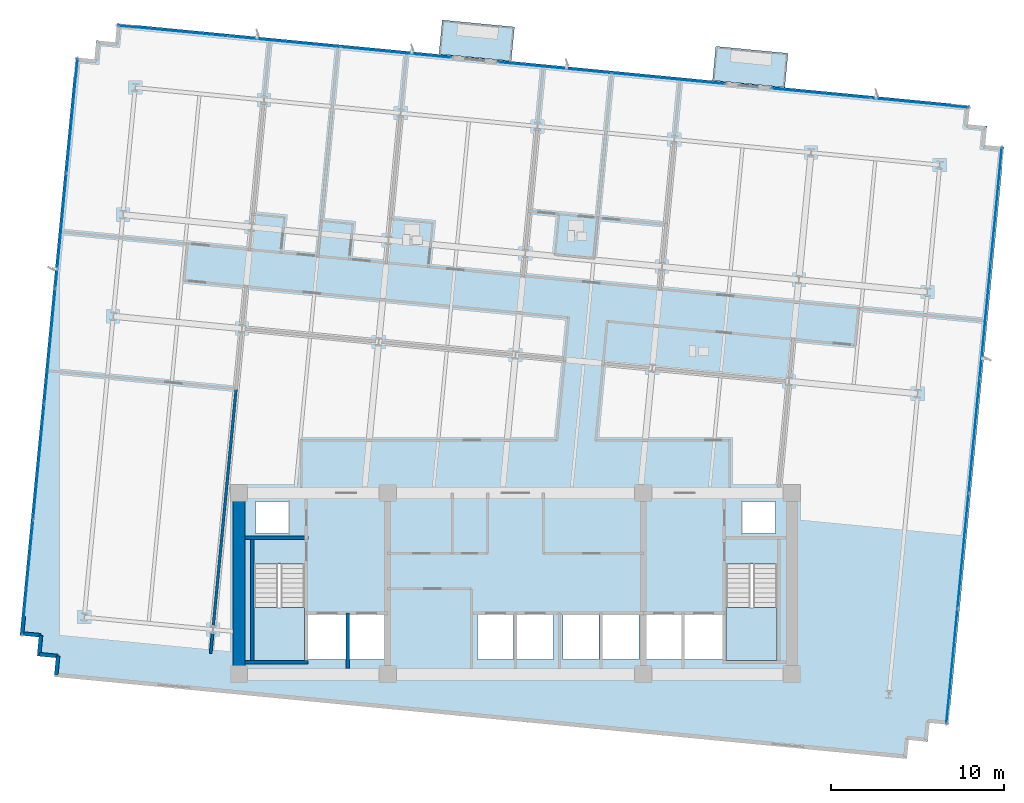
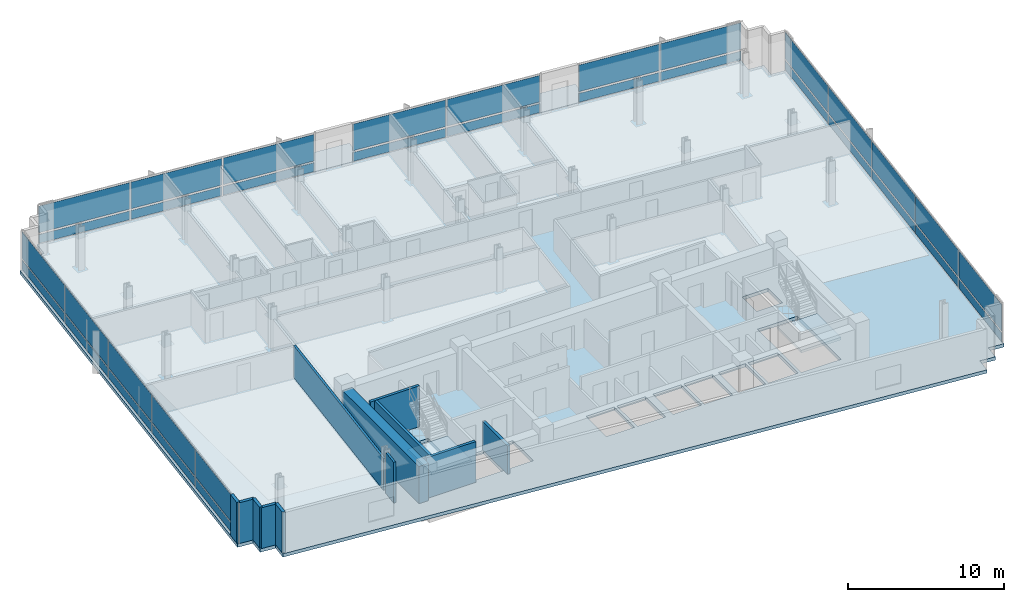
# One storey, part 9 of 17: 34 plates, 12 walls, 5 slabs, 7 elements without a shape of their own.
"""IFC4 building model written with IfcOpenShell, lengths in metres."""

import ifcopenshell
import ifcopenshell.guid

model = None  # the IFC model being written
_history = None  # IfcOwnerHistory: only IFC2X3 demands one
_inside = {}  # id of a spatial element -> (the spatial element, [elements in it])
_under = {}  # id of a project, library or spatial element -> (it, [spatial elements below it])
_declared = {}  # id of a project -> (the project, [libraries it declares])
_typed = {}  # id of a type object -> (the type object, [elements of that type])
_made_of = {}  # id of a material, layer set ... -> (it, [elements and type objects made of it])


def new_model(schema):
    """Start an empty IFC model of exactly this schema.

    Asked for "IFC4X3", IfcOpenShell would pick the latest addendum, in which some entities
    have other attributes; the version numbers below select the first issue.
    IFC2X3 requires an IfcOwnerHistory on every rooted entity: one is made here for all.
    """
    global model, _history
    if schema == "IFC4X3":
        model = ifcopenshell.file(schema_version=(4, 3, 0, 0))
    else:
        model = ifcopenshell.file(schema=schema)
    _inside.clear()
    _under.clear()
    _declared.clear()
    _typed.clear()
    _made_of.clear()
    _history = None
    if model.schema == "IFC2X3":
        org = make("IfcOrganization", Name="unknown")
        user = make(
            "IfcPersonAndOrganization",
            ThePerson=make("IfcPerson", FamilyName="unknown"),
            TheOrganization=org,
        )
        app = make(
            "IfcApplication",
            ApplicationDeveloper=org,
            Version="unknown",
            ApplicationFullName="unknown",
            ApplicationIdentifier="unknown",
        )
        _history = make(
            "IfcOwnerHistory",
            OwningUser=user,
            OwningApplication=app,
            ChangeAction="ADDED",
            CreationDate=0,
        )
    return model


def make(cls, **values):
    """One entity of the class cls with the attributes given. An attribute that is None is left unset."""
    return model.create_entity(
        cls, **{name: value for name, value in values.items() if value is not None}
    )


def rooted(cls, **values):
    """An entity with a GlobalId (a new one), such as an element, a storey or a relation."""
    return make(cls, GlobalId=ifcopenshell.guid.new(), OwnerHistory=_history, **values)


def si_unit(unit_type, name, prefix=None):
    """IfcSIUnit, for example si_unit("LENGTHUNIT", "METRE", prefix="MILLI")."""
    return make("IfcSIUnit", UnitType=unit_type, Prefix=prefix, Name=name)


def assignment(units):
    """IfcUnitAssignment: the units of a project."""
    return None if units is None else make("IfcUnitAssignment", Units=units)


def point(xyz):
    """IfcCartesianPoint."""
    return None if xyz is None else make("IfcCartesianPoint", Coordinates=xyz)


def direction(xyz):
    """IfcDirection."""
    return None if xyz is None else make("IfcDirection", DirectionRatios=xyz)


def frame(location, z_axis=None, x_axis=None):
    """IfcAxis2Placement3D, a coordinate frame: its origin and axes. An axis left out is left unset."""
    return make(
        "IfcAxis2Placement3D",
        Location=point(location),
        Axis=direction(z_axis),
        RefDirection=direction(x_axis),
    )


def frame_2d(location, x_axis=None):
    """IfcAxis2Placement2D, a coordinate frame in the plane: its origin and x axis."""
    return make(
        "IfcAxis2Placement2D", Location=point(location), RefDirection=direction(x_axis)
    )


def origin():
    """The frame at (0, 0, 0) with its axes left unset."""
    return frame((0.0, 0.0, 0.0))


def origin_2d():
    """The frame at (0, 0) in the plane with its x axis left unset."""
    return frame_2d((0.0, 0.0))


def place(relative_to, where):
    """IfcLocalPlacement: puts the frame where relative to a parent placement (None: the world)."""
    return make(
        "IfcLocalPlacement", PlacementRelTo=relative_to, RelativePlacement=where
    )


def context(
    kind, dimensions, precision=None, world=None, true_north=None, identifier=None
):
    """IfcGeometricRepresentationContext, for example the 3D "Model" context."""
    return make(
        "IfcGeometricRepresentationContext",
        ContextIdentifier=identifier,
        ContextType=kind,
        CoordinateSpaceDimension=dimensions,
        Precision=precision,
        WorldCoordinateSystem=world,
        TrueNorth=true_north,
    )


def subcontext(parent, identifier, kind, view, scale=None):
    """IfcGeometricRepresentationSubContext, for example "Body" below "Model"."""
    return make(
        "IfcGeometricRepresentationSubContext",
        ContextIdentifier=identifier,
        ContextType=kind,
        ParentContext=parent,
        TargetScale=scale,
        TargetView=view,
    )


def project(units=None, contexts=None):
    """IfcProject with its units and contexts."""
    return rooted(
        "IfcProject",
        Name="project",
        RepresentationContexts=contexts,
        UnitsInContext=assignment(units),
    )


def spatial(cls, under=None, at=None, **own):
    """A site, building, storey or space (cls), placed at a placement, below another one or the project."""
    s = rooted(cls, ObjectPlacement=at, **own)
    if under is not None:
        _under.setdefault(under.id(), (under, []))[1].append(s)
    return s


def polyline(points):
    """IfcPolyline through the points."""
    return make("IfcPolyline", Points=[point(p) for p in points])


def profile(cls, at=None, kind="AREA", **sizes):
    """A parametric profile (cls). Its sizes go by their IFC names, for example OverallWidth=200.0."""
    return make(cls, ProfileType=kind, Position=at, **sizes)


def rectangle(**sizes):
    """IfcRectangleProfileDef."""
    return profile("IfcRectangleProfileDef", **sizes)


def outline(outer, holes=None, kind="AREA"):
    """IfcArbitraryClosedProfileDef: a profile drawn as a closed curve; with holes, ...WithVoids."""
    if holes is None:
        return make("IfcArbitraryClosedProfileDef", ProfileType=kind, OuterCurve=outer)
    return make(
        "IfcArbitraryProfileDefWithVoids",
        ProfileType=kind,
        OuterCurve=outer,
        InnerCurves=holes,
    )


def extrude(swept, where, along, depth):
    """IfcExtrudedAreaSolid: the profile swept, set in the frame where, extruded along a direction by depth."""
    return make(
        "IfcExtrudedAreaSolid",
        SweptArea=swept,
        Position=where,
        ExtrudedDirection=direction(along),
        Depth=depth,
    )


def shape(context_of_items, identifier, shape_type, items):
    """IfcShapeRepresentation: the items that make up one representation, for example the "Body"."""
    return make(
        "IfcShapeRepresentation",
        ContextOfItems=context_of_items,
        RepresentationIdentifier=identifier,
        RepresentationType=shape_type,
        Items=items,
    )


def material(Name=None, Category=None):
    """IfcMaterial."""
    return make("IfcMaterial", Name=Name, Category=Category)


def layer(
    of_material, thickness, ventilated=None, Name=None, Category=None, Priority=None
):
    """IfcMaterialLayer: one layer of a wall or slab, of a material (None: an air gap)."""
    return make(
        "IfcMaterialLayer",
        Material=of_material,
        LayerThickness=thickness,
        IsVentilated=ventilated,
        Name=Name,
        Category=Category,
        Priority=Priority,
    )


def layer_set(layers, Name=None):
    """IfcMaterialLayerSet."""
    return make("IfcMaterialLayerSet", MaterialLayers=layers, LayerSetName=Name)


def made_of(thing, what):
    """Note that an element or type object is made of a material, layer set ...; save() writes the relation."""
    if what is not None:
        _made_of.setdefault(what.id(), (what, []))[1].append(thing)
    return thing


def type_object(cls, material=None, **own):
    """A type object (cls), such as IfcWallType, which elements share."""
    return made_of(rooted(cls, **own), material)


def element(
    cls,
    number,
    at=None,
    inside=None,
    cuts=None,
    type_object=None,
    material=None,
    context=None,
    identifier="Body",
    shape_type=None,
    held_by="IfcProductDefinitionShape",
    body=None,
    shapes=None,
    **own,
):
    """One element of the class cls, such as IfcWall. Its Tag is "e" and its number.

    at: its placement. inside: the storey or other place that contains it. cuts: it is an
    opening in that element (IfcRelVoidsElement). A single representation is given by context,
    identifier, shape_type and body (its items); several are given by shapes. held_by: the class
    of the entity that holds the representations. save() writes the other relations.
    """
    e = rooted(cls, Tag="e%d" % number, ObjectPlacement=at, **own)
    if body is not None:
        shapes = [shape(context, identifier, shape_type, body)]
    if shapes is not None:
        e.Representation = make(held_by, Representations=shapes)
    if inside is not None:
        _inside.setdefault(inside.id(), (inside, []))[1].append(e)
    if cuts is not None:
        rooted(
            "IfcRelVoidsElement", RelatingBuildingElement=cuts, RelatedOpeningElement=e
        )
    if type_object is not None:
        _typed.setdefault(type_object.id(), (type_object, []))[1].append(e)
    return made_of(e, material)


def aggregate(whole, parts):
    """IfcRelAggregates: a whole, such as a stair, and the parts it consists of."""
    return rooted("IfcRelAggregates", RelatingObject=whole, RelatedObjects=parts)


def save(model, path):
    """Write the relations noted so far, then the file.

    IfcRelAggregates (storeys below a building ...), IfcRelContainedInSpatialStructure (elements
    in a storey), IfcRelDefinesByType, IfcRelAssociatesMaterial and IfcRelDeclares: one each for
    every whole, place, type object, material and project.
    """
    for whole, parts in _under.values():
        aggregate(whole, parts)
    for where, things in _inside.values():
        rooted(
            "IfcRelContainedInSpatialStructure",
            RelatedElements=things,
            RelatingStructure=where,
        )
    for kind, things in _typed.values():
        rooted("IfcRelDefinesByType", RelatedObjects=things, RelatingType=kind)
    for what, things in _made_of.values():
        rooted("IfcRelAssociatesMaterial", RelatedObjects=things, RelatingMaterial=what)
    for by, libraries in _declared.values():
        rooted("IfcRelDeclares", RelatingContext=by, RelatedDefinitions=libraries)
    model.write(path)


model = new_model("IFC4")

# Units and contexts
model_context = context("Model", 3, precision=1e-05, world=origin(), true_north=direction((0.0, 1.0)))
body_context = subcontext(model_context, "Body", "Model", "MODEL_VIEW")
ifc_project = project(units=[si_unit("LENGTHUNIT", "METRE"), si_unit("AREAUNIT", "SQUARE_METRE"), si_unit("VOLUMEUNIT", "CUBIC_METRE"), si_unit("PLANEANGLEUNIT", "RADIAN"), si_unit("MASSUNIT", "GRAM", prefix="KILO")], contexts=[model_context])

# Site, building, storey
site_placement = place(None, origin())
site = spatial("IfcSite", under=ifc_project, at=site_placement, CompositionType="ELEMENT")
building_placement = place(site_placement, origin())
building = spatial("IfcBuilding", under=site, at=building_placement, Name="Solmavex Isthmus Hotel", CompositionType="ELEMENT")
storey_placement = place(building_placement, frame((0.0, 0.0, 149.699951171875)))
storey = spatial("IfcBuildingStorey", under=building, at=storey_placement, Name="L40", CompositionType="ELEMENT", Elevation=149.699951171875)

# Curtain wall, plates
ifc_material_1 = material(Name="Aluminium alloy 6063-T6", Category="aluminium")
curtain_wall_type = type_object("IfcCurtainWallType", Name="CW-SYS-03", PredefinedType="NOTDEFINED", material=ifc_material_1)
curtain_wall_1_placement = place(storey_placement, origin())
curtain_wall_1 = element("IfcCurtainWall", 1, at=curtain_wall_1_placement, inside=storey, type_object=curtain_wall_type, Name="Stick Curtain Wall CWL-L40-N1", PredefinedType="NOTDEFINED")
ifc_material_2 = material(Name="Clear low-E laminated glass", Category="glass")
ifc_layer_1 = layer(ifc_material_2, 0.030029296875)
ifc_layer_set_1 = layer_set([ifc_layer_1], Name="Clear low-E laminated glass")
plate_type = type_object("IfcPlateType", Name="CW-SYS-03-PNL", PredefinedType="CURTAIN_PANEL", material=ifc_layer_set_1)
plate_1_placement = place(storey_placement, frame((-19.820068359375, 24.256591796875, 0.14013671875), z_axis=(0.0, 0.0, 1.0), x_axis=(0.995396204731, -0.095845686434, 0.0)))
plate_1 = element("IfcPlate", 2, at=plate_1_placement, type_object=plate_type, Name="CW-03 panel 1.1", PredefinedType="CURTAIN_PANEL", context=body_context, shape_type="SweptSolid", body=[
    extrude(rectangle(XDim=6.40234375, YDim=0.030029296875, at=origin_2d()), origin(), (0.0, 0.0, 1.0), 0.68994140625),
])
plate_2_placement = place(storey_placement, frame((-19.820068359375, 24.256591796875, 0.969970703125), z_axis=(0.0, 0.0, 1.0), x_axis=(0.995396204731, -0.095845686434, 0.0)))
plate_2 = element("IfcPlate", 3, at=plate_2_placement, type_object=plate_type, Name="CW-03 panel 1.2", PredefinedType="CURTAIN_PANEL", context=body_context, shape_type="SweptSolid", body=[
    extrude(rectangle(XDim=6.40234375, YDim=0.030029296875, at=origin_2d()), origin(), (0.0, 0.0, 1.0), 2.080078125),
])
plate_3_placement = place(storey_placement, frame((-13.360107421875, 23.634521484375, 0.14013671875), z_axis=(0.0, 0.0, 1.0), x_axis=(0.995396204731, -0.095845686434, 0.0)))
plate_3 = element("IfcPlate", 4, at=plate_3_placement, type_object=plate_type, Name="CW-03 panel 2.1", PredefinedType="CURTAIN_PANEL", context=body_context, shape_type="SweptSolid", body=[
    extrude(rectangle(XDim=6.437255859375, YDim=0.030029296875, at=origin_2d()), origin(), (0.0, 0.0, 1.0), 0.68994140625),
])
plate_4_placement = place(storey_placement, frame((-13.360107421875, 23.634521484375, 0.969970703125), z_axis=(0.0, 0.0, 1.0), x_axis=(0.995396204731, -0.095845686434, 0.0)))
plate_4 = element("IfcPlate", 5, at=plate_4_placement, type_object=plate_type, Name="CW-03 panel 2.2", PredefinedType="CURTAIN_PANEL", context=body_context, shape_type="SweptSolid", body=[
    extrude(rectangle(XDim=6.437255859375, YDim=0.030029296875, at=origin_2d()), origin(), (0.0, 0.0, 1.0), 2.080078125),
])
plate_5_placement = place(storey_placement, frame((-6.900146484375, 23.012451171875, 0.14013671875), z_axis=(0.0, 0.0, 1.0), x_axis=(0.995396204731, -0.095845686434, 0.0)))
plate_5 = element("IfcPlate", 6, at=plate_5_placement, type_object=plate_type, Name="CW-03 panel 3.1", PredefinedType="CURTAIN_PANEL", context=body_context, shape_type="SweptSolid", body=[
    extrude(rectangle(XDim=6.40234375, YDim=0.030029296875, at=origin_2d()), origin(), (0.0, 0.0, 1.0), 0.68994140625),
])
plate_6_placement = place(storey_placement, frame((-6.900146484375, 23.012451171875, 0.969970703125), z_axis=(0.0, 0.0, 1.0), x_axis=(0.995396204731, -0.095845686434, 0.0)))
plate_6 = element("IfcPlate", 7, at=plate_6_placement, type_object=plate_type, Name="CW-03 panel 3.2", PredefinedType="CURTAIN_PANEL", context=body_context, shape_type="SweptSolid", body=[
    extrude(rectangle(XDim=6.40234375, YDim=0.030029296875, at=origin_2d()), origin(), (0.0, 0.0, 1.0), 2.080078125),
])
aggregate(curtain_wall_1, [plate_1, plate_2, plate_3, plate_4, plate_5, plate_6])

curtain_wall_2_placement = place(storey_placement, origin())
curtain_wall_2 = element("IfcCurtainWall", 8, at=curtain_wall_2_placement, inside=storey, type_object=curtain_wall_type, Name="Stick Curtain Wall CWL-L40-N2", PredefinedType="NOTDEFINED")
plate_7_placement = place(storey_placement, frame((2.27392578125, 22.129150390625, 0.14013671875), z_axis=(0.0, 0.0, 1.0), x_axis=(0.995396257521, -0.095845138178, 0.0)))
plate_7 = element("IfcPlate", 9, at=plate_7_placement, type_object=plate_type, Name="CW-03 panel 1.1", PredefinedType="CURTAIN_PANEL", context=body_context, shape_type="SweptSolid", body=[
    extrude(rectangle(XDim=6.551025390625, YDim=0.030029296875, at=origin_2d()), origin(), (0.0, 0.0, 1.0), 0.68994140625),
])
plate_8_placement = place(storey_placement, frame((2.27392578125, 22.129150390625, 0.969970703125), z_axis=(0.0, 0.0, 1.0), x_axis=(0.995396257521, -0.095845138178, 0.0)))
plate_8 = element("IfcPlate", 10, at=plate_8_placement, type_object=plate_type, Name="CW-03 panel 1.2", PredefinedType="CURTAIN_PANEL", context=body_context, shape_type="SweptSolid", body=[
    extrude(rectangle(XDim=6.551025390625, YDim=0.030029296875, at=origin_2d()), origin(), (0.0, 0.0, 1.0), 2.080078125),
])
plate_9_placement = place(storey_placement, frame((8.864501953125, 21.49462890625, 0.14013671875), z_axis=(0.0, 0.0, 1.0), x_axis=(0.995396257521, -0.095845138178, 0.0)))
plate_9 = element("IfcPlate", 11, at=plate_9_placement, type_object=plate_type, Name="CW-03 panel 2.1", PredefinedType="CURTAIN_PANEL", context=body_context, shape_type="SweptSolid", body=[
    extrude(rectangle(XDim=6.551025390625, YDim=0.030029296875, at=origin_2d()), origin(), (0.0, 0.0, 1.0), 0.68994140625),
])
plate_10_placement = place(storey_placement, frame((8.864501953125, 21.49462890625, 0.969970703125), z_axis=(0.0, 0.0, 1.0), x_axis=(0.995396257521, -0.095845138178, 0.0)))
plate_10 = element("IfcPlate", 12, at=plate_10_placement, type_object=plate_type, Name="CW-03 panel 2.2", PredefinedType="CURTAIN_PANEL", context=body_context, shape_type="SweptSolid", body=[
    extrude(rectangle(XDim=6.551025390625, YDim=0.030029296875, at=origin_2d()), origin(), (0.0, 0.0, 1.0), 2.080078125),
])
aggregate(curtain_wall_2, [plate_7, plate_8, plate_9, plate_10])

curtain_wall_3_placement = place(storey_placement, origin())
curtain_wall_3 = element("IfcCurtainWall", 13, at=curtain_wall_3_placement, inside=storey, type_object=curtain_wall_type, Name="Stick Curtain Wall CWL-L40-N3", PredefinedType="NOTDEFINED")
plate_11_placement = place(storey_placement, frame((17.67822265625, 20.645751953125, 0.14013671875), z_axis=(0.0, 0.0, 1.0), x_axis=(0.995396212717, -0.095845603495, 0.0)))
plate_11 = element("IfcPlate", 14, at=plate_11_placement, type_object=plate_type, Name="CW-03 panel 1.1", PredefinedType="CURTAIN_PANEL", context=body_context, shape_type="SweptSolid", body=[
    extrude(rectangle(XDim=5.677978515625, YDim=0.030029296875, at=origin_2d()), origin(), (0.0, 0.0, 1.0), 0.68994140625),
])
plate_12_placement = place(storey_placement, frame((17.67822265625, 20.645751953125, 0.969970703125), z_axis=(0.0, 0.0, 1.0), x_axis=(0.995396212717, -0.095845603495, 0.0)))
plate_12 = element("IfcPlate", 15, at=plate_12_placement, type_object=plate_type, Name="CW-03 panel 1.2", PredefinedType="CURTAIN_PANEL", context=body_context, shape_type="SweptSolid", body=[
    extrude(rectangle(XDim=5.677978515625, YDim=0.030029296875, at=origin_2d()), origin(), (0.0, 0.0, 1.0), 2.080078125),
])
plate_13_placement = place(storey_placement, frame((23.39990234375, 20.094970703125, 0.14013671875), z_axis=(0.0, 0.0, 1.0), x_axis=(0.995396212717, -0.095845603495, 0.0)))
plate_13 = element("IfcPlate", 16, at=plate_13_placement, type_object=plate_type, Name="CW-03 panel 2.1", PredefinedType="CURTAIN_PANEL", context=body_context, shape_type="SweptSolid", body=[
    extrude(rectangle(XDim=5.677978515625, YDim=0.030029296875, at=origin_2d()), origin(), (0.0, 0.0, 1.0), 0.68994140625),
])
plate_14_placement = place(storey_placement, frame((23.39990234375, 20.094970703125, 0.969970703125), z_axis=(0.0, 0.0, 1.0), x_axis=(0.995396212717, -0.095845603495, 0.0)))
plate_14 = element("IfcPlate", 17, at=plate_14_placement, type_object=plate_type, Name="CW-03 panel 2.2", PredefinedType="CURTAIN_PANEL", context=body_context, shape_type="SweptSolid", body=[
    extrude(rectangle(XDim=5.677978515625, YDim=0.030029296875, at=origin_2d()), origin(), (0.0, 0.0, 1.0), 2.080078125),
])
aggregate(curtain_wall_3, [plate_11, plate_12, plate_13, plate_14])

curtain_wall_4_placement = place(storey_placement, origin())
curtain_wall_4 = element("IfcCurtainWall", 18, at=curtain_wall_4_placement, inside=storey, type_object=curtain_wall_type, Name="Stick Curtain Wall CWL-L40-W1", PredefinedType="NOTDEFINED")
plate_15_placement = place(storey_placement, frame((-28.24267578125, -7.38427734375, 0.14013671875), z_axis=(0.0, 0.0, 1.0), x_axis=(0.09584583902, 0.995396190038, 0.0)))
plate_15 = element("IfcPlate", 19, at=plate_15_placement, type_object=plate_type, Name="CW-03 panel 1.1", PredefinedType="CURTAIN_PANEL", context=body_context, shape_type="SweptSolid", body=[
    extrude(rectangle(XDim=6.614990234375, YDim=0.030029296875, at=origin_2d()), origin(), (0.0, 0.0, 1.0), 0.68994140625),
])
plate_16_placement = place(storey_placement, frame((-28.24267578125, -7.38427734375, 0.969970703125), z_axis=(0.0, 0.0, 1.0), x_axis=(0.09584583902, 0.995396190038, 0.0)))
plate_16 = element("IfcPlate", 20, at=plate_16_placement, type_object=plate_type, Name="CW-03 panel 1.2", PredefinedType="CURTAIN_PANEL", context=body_context, shape_type="SweptSolid", body=[
    extrude(rectangle(XDim=6.614990234375, YDim=0.030029296875, at=origin_2d()), origin(), (0.0, 0.0, 1.0), 2.080078125),
])
plate_17_placement = place(storey_placement, frame((-27.600341796875, -0.712646484375, 0.14013671875), z_axis=(0.0, 0.0, 1.0), x_axis=(0.09584583902, 0.995396190038, 0.0)))
plate_17 = element("IfcPlate", 21, at=plate_17_placement, type_object=plate_type, Name="CW-03 panel 2.1", PredefinedType="CURTAIN_PANEL", context=body_context, shape_type="SweptSolid", body=[
    extrude(rectangle(XDim=6.64990234375, YDim=0.030029296875, at=origin_2d()), origin(), (0.0, 0.0, 1.0), 0.68994140625),
])
plate_18_placement = place(storey_placement, frame((-27.600341796875, -0.712646484375, 0.969970703125), z_axis=(0.0, 0.0, 1.0), x_axis=(0.09584583902, 0.995396190038, 0.0)))
plate_18 = element("IfcPlate", 22, at=plate_18_placement, type_object=plate_type, Name="CW-03 panel 2.2", PredefinedType="CURTAIN_PANEL", context=body_context, shape_type="SweptSolid", body=[
    extrude(rectangle(XDim=6.64990234375, YDim=0.030029296875, at=origin_2d()), origin(), (0.0, 0.0, 1.0), 2.080078125),
])
plate_19_placement = place(storey_placement, frame((-26.956298828125, 5.976318359375, 0.14013671875), z_axis=(0.0, 0.0, 1.0), x_axis=(0.09584583902, 0.995396190038, 0.0)))
plate_19 = element("IfcPlate", 23, at=plate_19_placement, type_object=plate_type, Name="CW-03 panel 3.1", PredefinedType="CURTAIN_PANEL", context=body_context, shape_type="SweptSolid", body=[
    extrude(rectangle(XDim=6.64990234375, YDim=0.030029296875, at=origin_2d()), origin(), (0.0, 0.0, 1.0), 0.68994140625),
])
plate_20_placement = place(storey_placement, frame((-26.956298828125, 5.976318359375, 0.969970703125), z_axis=(0.0, 0.0, 1.0), x_axis=(0.09584583902, 0.995396190038, 0.0)))
plate_20 = element("IfcPlate", 24, at=plate_20_placement, type_object=plate_type, Name="CW-03 panel 3.2", PredefinedType="CURTAIN_PANEL", context=body_context, shape_type="SweptSolid", body=[
    extrude(rectangle(XDim=6.64990234375, YDim=0.030029296875, at=origin_2d()), origin(), (0.0, 0.0, 1.0), 2.080078125),
])
plate_21_placement = place(storey_placement, frame((-26.312255859375, 12.665283203125, 0.14013671875), z_axis=(0.0, 0.0, 1.0), x_axis=(0.09584583902, 0.995396190038, 0.0)))
plate_21 = element("IfcPlate", 25, at=plate_21_placement, type_object=plate_type, Name="CW-03 panel 4.1", PredefinedType="CURTAIN_PANEL", context=body_context, shape_type="SweptSolid", body=[
    extrude(rectangle(XDim=6.64990234375, YDim=0.030029296875, at=origin_2d()), origin(), (0.0, 0.0, 1.0), 0.68994140625),
])
plate_22_placement = place(storey_placement, frame((-26.312255859375, 12.665283203125, 0.969970703125), z_axis=(0.0, 0.0, 1.0), x_axis=(0.09584583902, 0.995396190038, 0.0)))
plate_22 = element("IfcPlate", 26, at=plate_22_placement, type_object=plate_type, Name="CW-03 panel 4.2", PredefinedType="CURTAIN_PANEL", context=body_context, shape_type="SweptSolid", body=[
    extrude(rectangle(XDim=6.64990234375, YDim=0.030029296875, at=origin_2d()), origin(), (0.0, 0.0, 1.0), 2.080078125),
])
plate_23_placement = place(storey_placement, frame((-25.669677734375, 19.337158203125, 0.14013671875), z_axis=(0.0, 0.0, 1.0), x_axis=(0.09584583902, 0.995396190038, 0.0)))
plate_23 = element("IfcPlate", 27, at=plate_23_placement, type_object=plate_type, Name="CW-03 panel 5.1", PredefinedType="CURTAIN_PANEL", context=body_context, shape_type="SweptSolid", body=[
    extrude(rectangle(XDim=6.614990234375, YDim=0.030029296875, at=origin_2d()), origin(), (0.0, 0.0, 1.0), 0.68994140625),
])
plate_24_placement = place(storey_placement, frame((-25.669677734375, 19.337158203125, 0.969970703125), z_axis=(0.0, 0.0, 1.0), x_axis=(0.09584583902, 0.995396190038, 0.0)))
plate_24 = element("IfcPlate", 28, at=plate_24_placement, type_object=plate_type, Name="CW-03 panel 5.2", PredefinedType="CURTAIN_PANEL", context=body_context, shape_type="SweptSolid", body=[
    extrude(rectangle(XDim=6.614990234375, YDim=0.030029296875, at=origin_2d()), origin(), (0.0, 0.0, 1.0), 2.080078125),
])
aggregate(curtain_wall_4, [plate_15, plate_16, plate_17, plate_18, plate_19, plate_20, plate_21, plate_22, plate_23, plate_24])

curtain_wall_5_placement = place(storey_placement, origin())
curtain_wall_5 = element("IfcCurtainWall", 29, at=curtain_wall_5_placement, inside=storey, type_object=curtain_wall_type, Name="Stick Curtain Wall CWL-L40-E1", PredefinedType="NOTDEFINED")
plate_25_placement = place(storey_placement, frame((25.269775390625, -12.537109375, 0.14013671875), z_axis=(0.0, 0.0, 1.0), x_axis=(0.09584583902, 0.995396190038, 0.0)))
plate_25 = element("IfcPlate", 30, at=plate_25_placement, type_object=plate_type, Name="CW-03 panel 1.1", PredefinedType="CURTAIN_PANEL", context=body_context, shape_type="SweptSolid", body=[
    extrude(rectangle(XDim=6.614990234375, YDim=0.030029296875, at=origin_2d()), origin(), (0.0, 0.0, 1.0), 0.68994140625),
])
plate_26_placement = place(storey_placement, frame((25.269775390625, -12.537109375, 0.969970703125), z_axis=(0.0, 0.0, 1.0), x_axis=(0.09584583902, 0.995396190038, 0.0)))
plate_26 = element("IfcPlate", 31, at=plate_26_placement, type_object=plate_type, Name="CW-03 panel 1.2", PredefinedType="CURTAIN_PANEL", context=body_context, shape_type="SweptSolid", body=[
    extrude(rectangle(XDim=6.614990234375, YDim=0.030029296875, at=origin_2d()), origin(), (0.0, 0.0, 1.0), 2.080078125),
])
plate_27_placement = place(storey_placement, frame((25.912109375, -5.865478515625, 0.14013671875), z_axis=(0.0, 0.0, 1.0), x_axis=(0.09584583902, 0.995396190038, 0.0)))
plate_27 = element("IfcPlate", 32, at=plate_27_placement, type_object=plate_type, Name="CW-03 panel 2.1", PredefinedType="CURTAIN_PANEL", context=body_context, shape_type="SweptSolid", body=[
    extrude(rectangle(XDim=6.64990234375, YDim=0.030029296875, at=origin_2d()), origin(), (0.0, 0.0, 1.0), 0.68994140625),
])
plate_28_placement = place(storey_placement, frame((25.912109375, -5.865478515625, 0.969970703125), z_axis=(0.0, 0.0, 1.0), x_axis=(0.09584583902, 0.995396190038, 0.0)))
plate_28 = element("IfcPlate", 33, at=plate_28_placement, type_object=plate_type, Name="CW-03 panel 2.2", PredefinedType="CURTAIN_PANEL", context=body_context, shape_type="SweptSolid", body=[
    extrude(rectangle(XDim=6.64990234375, YDim=0.030029296875, at=origin_2d()), origin(), (0.0, 0.0, 1.0), 2.080078125),
])
plate_29_placement = place(storey_placement, frame((26.55615234375, 0.82373046875, 0.14013671875), z_axis=(0.0, 0.0, 1.0), x_axis=(0.09584583902, 0.995396190038, 0.0)))
plate_29 = element("IfcPlate", 34, at=plate_29_placement, type_object=plate_type, Name="CW-03 panel 3.1", PredefinedType="CURTAIN_PANEL", context=body_context, shape_type="SweptSolid", body=[
    extrude(rectangle(XDim=6.64990234375, YDim=0.030029296875, at=origin_2d()), origin(), (0.0, 0.0, 1.0), 0.68994140625),
])
plate_30_placement = place(storey_placement, frame((26.55615234375, 0.82373046875, 0.969970703125), z_axis=(0.0, 0.0, 1.0), x_axis=(0.09584583902, 0.995396190038, 0.0)))
plate_30 = element("IfcPlate", 35, at=plate_30_placement, type_object=plate_type, Name="CW-03 panel 3.2", PredefinedType="CURTAIN_PANEL", context=body_context, shape_type="SweptSolid", body=[
    extrude(rectangle(XDim=6.64990234375, YDim=0.030029296875, at=origin_2d()), origin(), (0.0, 0.0, 1.0), 2.080078125),
])
plate_31_placement = place(storey_placement, frame((27.200439453125, 7.5126953125, 0.14013671875), z_axis=(0.0, 0.0, 1.0), x_axis=(0.09584583902, 0.995396190038, 0.0)))
plate_31 = element("IfcPlate", 36, at=plate_31_placement, type_object=plate_type, Name="CW-03 panel 4.1", PredefinedType="CURTAIN_PANEL", context=body_context, shape_type="SweptSolid", body=[
    extrude(rectangle(XDim=6.64990234375, YDim=0.030029296875, at=origin_2d()), origin(), (0.0, 0.0, 1.0), 0.68994140625),
])
plate_32_placement = place(storey_placement, frame((27.200439453125, 7.5126953125, 0.969970703125), z_axis=(0.0, 0.0, 1.0), x_axis=(0.09584583902, 0.995396190038, 0.0)))
plate_32 = element("IfcPlate", 37, at=plate_32_placement, type_object=plate_type, Name="CW-03 panel 4.2", PredefinedType="CURTAIN_PANEL", context=body_context, shape_type="SweptSolid", body=[
    extrude(rectangle(XDim=6.64990234375, YDim=0.030029296875, at=origin_2d()), origin(), (0.0, 0.0, 1.0), 2.080078125),
])
plate_33_placement = place(storey_placement, frame((27.8427734375, 14.184326171875, 0.14013671875), z_axis=(0.0, 0.0, 1.0), x_axis=(0.09584583902, 0.995396190038, 0.0)))
plate_33 = element("IfcPlate", 38, at=plate_33_placement, type_object=plate_type, Name="CW-03 panel 5.1", PredefinedType="CURTAIN_PANEL", context=body_context, shape_type="SweptSolid", body=[
    extrude(rectangle(XDim=6.614990234375, YDim=0.030029296875, at=origin_2d()), origin(), (0.0, 0.0, 1.0), 0.68994140625),
])
plate_34_placement = place(storey_placement, frame((27.8427734375, 14.184326171875, 0.969970703125), z_axis=(0.0, 0.0, 1.0), x_axis=(0.09584583902, 0.995396190038, 0.0)))
plate_34 = element("IfcPlate", 39, at=plate_34_placement, type_object=plate_type, Name="CW-03 panel 5.2", PredefinedType="CURTAIN_PANEL", context=body_context, shape_type="SweptSolid", body=[
    extrude(rectangle(XDim=6.614990234375, YDim=0.030029296875, at=origin_2d()), origin(), (0.0, 0.0, 1.0), 2.080078125),
])
aggregate(curtain_wall_5, [plate_25, plate_26, plate_27, plate_28, plate_29, plate_30, plate_31, plate_32, plate_33, plate_34])

# Slabs
ifc_material_3 = material(Name="Concrete C40/50", Category="concrete")
ifc_layer_2 = layer(ifc_material_3, 0.239990234375)
ifc_layer_set_2 = layer_set([ifc_layer_2], Name="Concrete C40/50")
slab_type_1 = type_object("IfcSlabType", Name="SLAB-BALC-240", PredefinedType="FLOOR", material=ifc_layer_set_2)
slab_1_placement = place(storey_placement, frame((0.0, 0.0, -0.239990234375)))
element("IfcSlab", 40, at=slab_1_placement, inside=storey, type_object=slab_type_1, Name="Tree-Planter Balcony Slab L40-B1", PredefinedType="FLOOR", context=body_context, shape_type="SweptSolid", body=[
    extrude(outline(polyline([(-4.427490234375, 22.909912109375), (-0.246826171875, 22.507568359375), (-0.056640625, 24.4833984375), (-4.2373046875, 24.885986328125), (-4.427490234375, 22.909912109375)])), origin(), (0.0, 0.0, 1.0), 0.239990234375),
])
slab_2_placement = place(storey_placement, frame((0.0, 0.0, -0.239990234375)))
element("IfcSlab", 41, at=slab_2_placement, inside=storey, type_object=slab_type_1, Name="Tree-Planter Balcony Slab L40-B2", PredefinedType="FLOOR", context=body_context, shape_type="SweptSolid", body=[
    extrude(outline(polyline([(11.4111328125, 21.385009765625), (15.591796875, 20.982421875), (15.7822265625, 22.958251953125), (11.6015625, 23.36083984375), (11.4111328125, 21.385009765625)])), origin(), (0.0, 0.0, 1.0), 0.239990234375),
])
ifc_layer_3 = layer(ifc_material_3, 0.260009765625)
ifc_layer_set_3 = layer_set([ifc_layer_3], Name="Concrete C40/50")
slab_type_2 = type_object("IfcSlabType", Name="SLAB-TYP-260", PredefinedType="FLOOR", material=ifc_layer_set_3)
slab_3_placement = place(storey_placement, frame((0.0, 0.0, -0.260009765625)))
element("IfcSlab", 42, at=slab_3_placement, inside=storey, type_object=slab_type_2, Name="Tower Structural Floor Slab L40", PredefinedType="FLOOR", context=body_context, shape_type="SweptSolid", body=[
    extrude(outline(polyline([(-25.612060546875, -13.240966796875), (21.56982421875, -17.7841796875), (22.664794921875, -17.889404296875), (22.770263671875, -16.794677734375), (23.865234375, -16.89990234375), (23.970458984375, -15.80517578125), (25.0654296875, -15.910400390625), (25.1708984375, -14.815673828125), (28.180419921875, 16.43994140625), (28.285888671875, 17.534912109375), (27.19091796875, 17.64013671875), (27.29638671875, 18.735107421875), (26.201416015625, 18.840576171875), (26.306884765625, 19.935546875), (25.2119140625, 20.041015625), (-21.9697265625, 24.583984375), (-23.064697265625, 24.689453125), (-23.170166015625, 23.594482421875), (-24.26513671875, 23.699951171875), (-24.37060546875, 22.60498046875), (-25.465576171875, 22.71044921875), (-25.57080078125, 21.615478515625), (-28.58056640625, -9.639892578125), (-28.685791015625, -10.73486328125), (-27.591064453125, -10.84033203125), (-27.6962890625, -11.935302734375), (-26.6015625, -12.04052734375), (-26.706787109375, -13.135498046875), (-25.612060546875, -13.240966796875)]), holes=[polyline([(-15.14990234375, -6.617919921875), (-15.14990234375, -12.199951171875), (-12.199951171875, -12.199951171875), (-12.199951171875, -6.617919921875), (-15.14990234375, -6.617919921875)]), polyline([(12.199951171875, -6.617919921875), (12.199951171875, -12.199951171875), (15.14990234375, -12.199951171875), (15.14990234375, -6.617919921875), (12.199951171875, -6.617919921875)]), polyline([(-12.0, -12.14990234375), (-9.800048828125, -12.14990234375), (-9.800048828125, -9.550048828125), (-12.0, -9.550048828125), (-12.0, -12.14990234375)]), polyline([(9.800048828125, -12.14990234375), (12.0, -12.14990234375), (12.0, -9.550048828125), (9.800048828125, -9.550048828125), (9.800048828125, -12.14990234375)]), polyline([(-9.60009765625, -12.14990234375), (-7.60009765625, -12.14990234375), (-7.60009765625, -9.550048828125), (-9.60009765625, -9.550048828125), (-9.60009765625, -12.14990234375)]), polyline([(7.60009765625, -12.14990234375), (9.60009765625, -12.14990234375), (9.60009765625, -9.550048828125), (7.60009765625, -9.550048828125), (7.60009765625, -12.14990234375)]), polyline([(-2.199951171875, -12.14990234375), (-0.10009765625, -12.14990234375), (-0.10009765625, -9.550048828125), (-2.199951171875, -9.550048828125), (-2.199951171875, -12.14990234375)]), polyline([(0.10009765625, -12.14990234375), (2.199951171875, -12.14990234375), (2.199951171875, -9.550048828125), (0.10009765625, -9.550048828125), (0.10009765625, -12.14990234375)]), polyline([(2.75, -12.14990234375), (4.85009765625, -12.14990234375), (4.85009765625, -9.550048828125), (2.75, -9.550048828125), (2.75, -12.14990234375)]), polyline([(5.050048828125, -12.14990234375), (7.14990234375, -12.14990234375), (7.14990234375, -9.550048828125), (5.050048828125, -9.550048828125), (5.050048828125, -12.14990234375)]), polyline([(-15.050048828125, -4.85009765625), (-13.14990234375, -4.85009765625), (-13.14990234375, -3.0), (-15.050048828125, -3.0), (-15.050048828125, -4.85009765625)]), polyline([(13.14990234375, -4.85009765625), (15.050048828125, -4.85009765625), (15.050048828125, -3.0), (13.14990234375, -3.0), (13.14990234375, -4.85009765625)])]), origin(), (0.0, 0.0, 1.0), 0.260009765625),
])

# Stair, slab
stair_type_1 = type_object("IfcStairType", Name="STR-ST-1", PredefinedType="HALF_TURN_STAIR", material=ifc_material_3)
stair_1_placement = place(storey_placement, origin())
stair_1 = element("IfcStair", 43, at=stair_1_placement, inside=storey, type_object=stair_type_1, Name="L40 Protected Exit Stair ST-1", PredefinedType="HALF_TURN_STAIR")
ifc_layer_4 = layer(ifc_material_3, 0.219970703125)
ifc_layer_set_4 = layer_set([ifc_layer_4], Name="Concrete C40/50")
slab_type_3 = type_object("IfcSlabType", Name="SLD-ST-1", PredefinedType="LANDING", material=ifc_layer_set_4)
slab_4_placement = place(storey_placement, frame((0.0, 0.0, 1.525146484375)))
slab_4 = element("IfcSlab", 44, at=slab_4_placement, type_object=slab_type_3, Name="ST-1 landing 1", PredefinedType="LANDING", context=body_context, shape_type="SweptSolid", body=[
    extrude(outline(polyline([(-15.14990234375, -9.1201171875), (-15.14990234375, -12.199951171875), (-12.199951171875, -12.199951171875), (-12.199951171875, -9.1201171875), (-15.14990234375, -9.1201171875)])), origin(), (0.0, 0.0, 1.0), 0.199951171875),
])
aggregate(stair_1, [slab_4])

stair_type_2 = type_object("IfcStairType", Name="STR-ST-2", PredefinedType="HALF_TURN_STAIR", material=ifc_material_3)
stair_2_placement = place(storey_placement, origin())
stair_2 = element("IfcStair", 45, at=stair_2_placement, inside=storey, type_object=stair_type_2, Name="L40 Protected Exit Stair ST-2", PredefinedType="HALF_TURN_STAIR")
ifc_layer_5 = layer(ifc_material_3, 0.219970703125)
ifc_layer_set_5 = layer_set([ifc_layer_5], Name="Concrete C40/50")
slab_type_4 = type_object("IfcSlabType", Name="SLD-ST-2", PredefinedType="LANDING", material=ifc_layer_set_5)
slab_5_placement = place(storey_placement, frame((0.0, 0.0, 1.525146484375)))
slab_5 = element("IfcSlab", 46, at=slab_5_placement, type_object=slab_type_4, Name="ST-2 landing 1", PredefinedType="LANDING", context=body_context, shape_type="SweptSolid", body=[
    extrude(outline(polyline([(12.199951171875, -9.1201171875), (12.199951171875, -12.199951171875), (15.14990234375, -12.199951171875), (15.14990234375, -9.1201171875), (12.199951171875, -9.1201171875)])), origin(), (0.0, 0.0, 1.0), 0.199951171875),
])
aggregate(stair_2, [slab_5])

# Walls
ifc_material_4 = material(Name="Precast Concrete C40/50", Category="concrete")
ifc_layer_6 = layer(ifc_material_4, 0.25)
ifc_layer_set_6 = layer_set([ifc_layer_6], Name="Precast Concrete C40/50")
wall_type_1 = type_object("IfcWallType", Name="EW-TWR-250", PredefinedType="STANDARD", material=ifc_layer_set_6)
for number, where, z_axis, x_axis, name in (
    (47, (-26.5869140625, -13.03662109375, 0.0), (0.0, 0.0, 1.0), (0.095877334176, 0.995393156894, 0.0), "Serrated Corner Facade Panel L40-01"),
    (48, (-26.4814453125, -11.941650390625, 0.0), (0.0, 0.0, 1.0), (-0.995393156894, 0.095877334176, 0.0), "Serrated Corner Facade Panel L40-02"),
    (49, (-27.576416015625, -11.836181640625, 0.0), (0.0, 0.0, 1.0), (0.095877334176, 0.995393156894, 0.0), "Serrated Corner Facade Panel L40-03"),
    (50, (-27.470947265625, -10.7412109375, 0.0), (0.0, 0.0, 1.0), (-0.995414313875, 0.095657429048, 0.0), "Serrated Corner Facade Panel L40-04"),
):
    element("IfcWall", number, at=place(storey_placement, frame(where, z_axis=z_axis, x_axis=x_axis)), inside=storey, type_object=wall_type_1, Name=name, PredefinedType="STANDARD", context=body_context, shape_type="SweptSolid", body=[
        extrude(rectangle(XDim=1.10009765625, YDim=0.219970703125, at=frame_2d((0.550048828125, 0.0))), origin(), (0.0, 0.0, 1.0), 3.18994140625),
    ])
wall_1_placement = place(storey_placement, frame((-28.56591796875, -10.635986328125, 0.0), z_axis=(0.0, 0.0, 1.0), x_axis=(0.095914428506, 0.995389583231, 0.0)))
element("IfcWall", 51, at=wall_1_placement, inside=storey, type_object=wall_type_1, Name="Serrated Corner Facade Panel L40-05", PredefinedType="STANDARD", context=body_context, shape_type="SweptSolid", body=[
    extrude(rectangle(XDim=0.990234375, YDim=0.219970703125, at=frame_2d((0.4951171875, 0.0))), origin(), (0.0, 0.0, 1.0), 3.18994140625),
])
ifc_material_5 = material(Name="Gypsum plasterboard lining", Category="gypsum")
ifc_layer_7 = layer(ifc_material_5, 0.159912109375)
ifc_layer_set_7 = layer_set([ifc_layer_7], Name="Gypsum plasterboard lining")
wall_type_2 = type_object("IfcWallType", Name="IW-COMP-160", PredefinedType="PARTITIONING", material=ifc_layer_set_7)
wall_2_placement = place(storey_placement, frame((-17.64794921875, -11.78759765625, 0.0), z_axis=(0.0, 0.0, 1.0), x_axis=(0.095720070118, 0.995408292198, 0.0)))
element("IfcWall", 52, at=wall_2_placement, inside=storey, type_object=wall_type_2, Name="Interior Partition Wall W-L40-P066", PredefinedType="PARTITIONING", context=body_context, shape_type="SweptSolid", body=[
    extrude(rectangle(XDim=1.214111328125, YDim=0.159912109375, at=frame_2d((0.60693359375, 0.0))), origin(), (0.0, 0.0, 1.0), 3.18994140625),
])
wall_3_placement = place(storey_placement, frame((-17.497802734375, -10.228759765625, 0.0), z_axis=(0.0, 0.0, 1.0), x_axis=(0.095840531094, 0.99539670112, 0.0)))
element("IfcWall", 53, at=wall_3_placement, inside=storey, type_object=wall_type_2, Name="Interior Partition Wall W-L40-P067", PredefinedType="PARTITIONING", context=body_context, shape_type="SweptSolid", body=[
    extrude(rectangle(XDim=13.906005859375, YDim=0.159912109375, at=frame_2d((6.953125, 0.0))), origin(), (0.0, 0.0, 1.0), 2.4794921875),
])
ifc_layer_8 = layer(ifc_material_3, 0.199951171875)
ifc_layer_set_8 = layer_set([ifc_layer_8], Name="Concrete C40/50")
wall_type_3 = type_object("IfcWallType", Name="IW-SHAFT-200", PredefinedType="PARTITIONING", material=ifc_layer_set_8)
wall_4_placement = place(storey_placement, frame((-9.699951171875, -12.64990234375, 0.0), z_axis=(0.0, 0.0, 1.0), x_axis=(0.0, 1.0, 0.0)))
element("IfcWall", 54, at=wall_4_placement, inside=storey, type_object=wall_type_3, Name="Interior Partition Wall W-L40-FFLW-M", PredefinedType="PARTITIONING", context=body_context, shape_type="SweptSolid", body=[
    extrude(rectangle(XDim=3.199951171875, YDim=0.199951171875, at=frame_2d((1.60009765625, 0.0))), origin(), (0.0, 0.0, 1.0), 2.22509765625),
])
ifc_material_6 = material(Name="Concrete C60/75", Category="concrete")
ifc_layer_9 = layer(ifc_material_6, 0.699951171875)
ifc_layer_set_9 = layer_set([ifc_layer_9], Name="Concrete C60/75")
wall_type_4 = type_object("IfcWallType", Name="WALL-CW-700", PredefinedType="SHEAR", material=ifc_layer_set_9)
wall_5_placement = place(storey_placement, frame((-16.0, -12.64990234375, 0.0), z_axis=(0.0, 0.0, 1.0), x_axis=(0.0, 1.0, 0.0)))
element("IfcWall", 55, at=wall_5_placement, inside=storey, type_object=wall_type_4, Name="Core Shear Wall West L40", PredefinedType="SHEAR", context=body_context, shape_type="SweptSolid", body=[
    extrude(rectangle(XDim=9.7998046875, YDim=0.699951171875, at=frame_2d((4.89990234375, 0.0))), origin(), (0.0, 0.0, 1.0), 2.91015625),
])
ifc_layer_10 = layer(ifc_material_3, 0.199951171875)
ifc_layer_set_10 = layer_set([ifc_layer_10], Name="Concrete C40/50")
wall_type_5 = type_object("IfcWallType", Name="WALL-SW-200", PredefinedType="SOLIDWALL", material=ifc_layer_set_10)
for number, where, z_axis, x_axis, name in (
    (56, (-15.64990234375, -12.300048828125, 0.0), (0.0, 0.0, 1.0), (1.0, 0.0, 0.0), "Stairwell Structural Wall SW-L40-ST1-S"),
    (57, (-15.64990234375, -5.10009765625, 0.0), (0.0, 0.0, 1.0), (1.0, 0.0, 0.0), "Stairwell Structural Wall SW-L40-ST1-N"),
):
    element("IfcWall", number, at=place(storey_placement, frame(where, z_axis=z_axis, x_axis=x_axis)), inside=storey, type_object=wall_type_5, Name=name, PredefinedType="SOLIDWALL", context=body_context, shape_type="SweptSolid", body=[
        extrude(rectangle(XDim=3.64990234375, YDim=0.199951171875, at=frame_2d((1.824951171875, 0.0))), origin(), (0.0, 0.0, 1.0), 3.18994140625),
    ])
wall_6_placement = place(storey_placement, frame((-15.25, -12.199951171875, 0.0), z_axis=(0.0, 0.0, 1.0), x_axis=(0.0, 1.0, 0.0)))
element("IfcWall", 58, at=wall_6_placement, inside=storey, type_object=wall_type_5, Name="Stairwell Structural Wall SW-L40-ST1-W", PredefinedType="SOLIDWALL", context=body_context, shape_type="SweptSolid", body=[
    extrude(rectangle(XDim=7.0, YDim=0.199951171875, at=frame_2d((3.5, 0.0))), origin(), (0.0, 0.0, 1.0), 3.18994140625),
])

save(model, "model.ifc")
